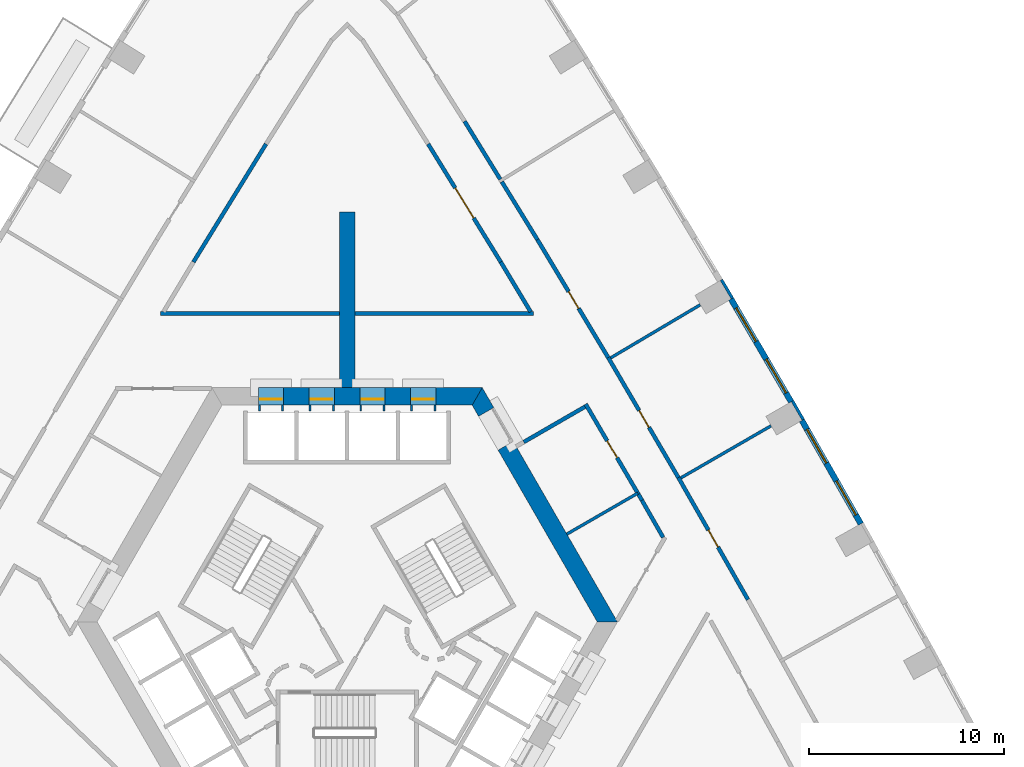
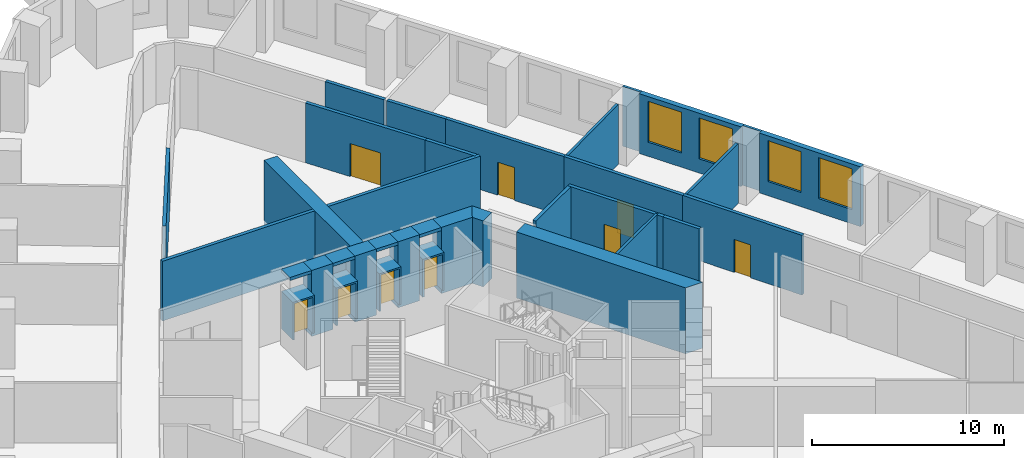
# One storey, part 10 of 15: 36 walls, 9 doors, 4 windows, 13 openings.
"""IFC4 building model written with IfcOpenShell, lengths in metres."""

from ifc_helpers import new_model, si_unit, direction, frame, frame_2d, origin, place, context, subcontext, project, spatial, polyline, rectangle, outline, extrude, material, layer, layer_set, type_object, element, fill, save


model = new_model("IFC4")

# Units and contexts
model_context = context("Model", 3, precision=1e-05, world=origin(), true_north=direction((0.0, 1.0)))
body_context = subcontext(model_context, "Body", "Model", "MODEL_VIEW")
ifc_project = project(units=[si_unit("LENGTHUNIT", "METRE"), si_unit("AREAUNIT", "SQUARE_METRE"), si_unit("VOLUMEUNIT", "CUBIC_METRE"), si_unit("PLANEANGLEUNIT", "RADIAN"), si_unit("MASSUNIT", "GRAM", prefix="KILO")], contexts=[model_context])

# Site, building, storey
site_placement = place(None, origin())
site = spatial("IfcSite", under=ifc_project, at=site_placement, CompositionType="ELEMENT")
building_placement = place(site_placement, origin())
building = spatial("IfcBuilding", under=site, at=building_placement, Name="Entoto Arch Interchange Tower", CompositionType="ELEMENT")
storey_placement = place(building_placement, frame((0.0, 0.0, 107.60009765625)))
storey = spatial("IfcBuildingStorey", under=building, at=storey_placement, Name="L23", CompositionType="ELEMENT", Elevation=107.60009765625)

# Walls
ifc_material_1 = material(Name="Concrete C60/75", Category="concrete")
ifc_layer_1 = layer(ifc_material_1, 0.800048828125)
ifc_layer_set_1 = layer_set([ifc_layer_1], Name="Concrete C60/75")
wall_type_1 = type_object("IfcWallType", Name="Buttress wall 800 C60/75", PredefinedType="SHEAR", material=ifc_layer_set_1)
wall_1_placement = place(storey_placement, frame((0.0, 14.5, -0.400146484375), z_axis=(0.0, 0.0, 1.0), x_axis=(0.0, 1.0, 0.0)))
element("IfcWall", 1, at=wall_1_placement, inside=storey, type_object=wall_type_1, Name="Buttress wall N L23", PredefinedType="SHEAR", context=body_context, shape_type="SweptSolid", body=[
    extrude(rectangle(XDim=9.0, YDim=0.800048828125, at=frame_2d((4.5, 0.0))), origin(), (0.0, 0.0, 1.0), 4.199951171875),
])
ifc_layer_2 = layer(ifc_material_1, 0.89990234375)
ifc_layer_set_2 = layer_set([ifc_layer_2], Name="Concrete C60/75")
wall_type_2 = type_object("IfcWallType", Name="Core wall 900 C60/75", PredefinedType="SHEAR", material=ifc_layer_set_2)
wall_2_placement = place(storey_placement, frame((0.0, 0.0, -0.400146484375)))
element("IfcWall", 2, at=wall_2_placement, inside=storey, type_object=wall_type_2, Name="Core wall NE L23", PredefinedType="SHEAR", context=body_context, shape_type="SweptSolid", body=[
    extrude(outline(polyline([(8.51708984375, 11.748046875), (7.738037109375, 11.298095703125), (12.81689453125, 2.5), (13.85595703125, 2.5), (8.51708984375, 11.748046875)])), origin(), (0.0, 0.0, 1.0), 4.199951171875),
])
wall_3_placement = place(storey_placement, frame((0.0, 0.0, -0.400146484375)))
element("IfcWall", 3, at=wall_3_placement, inside=storey, type_object=wall_type_2, Name="Core wall NE L23", PredefinedType="SHEAR", context=body_context, shape_type="SweptSolid", body=[
    extrude(outline(polyline([(6.738037109375, 13.030029296875), (7.51708984375, 13.47998046875), (6.927978515625, 14.5), (6.408935546875, 13.60009765625), (6.738037109375, 13.030029296875)])), origin(), (0.0, 0.0, 1.0), 4.199951171875),
])
wall_4_placement = place(storey_placement, frame((0.0, 0.0, -0.400146484375)))
element("IfcWall", 4, at=wall_4_placement, inside=storey, type_object=wall_type_2, Name="Core wall N L23", PredefinedType="SHEAR", context=body_context, shape_type="SweptSolid", body=[
    extrude(outline(polyline([(4.550048828125, 14.5), (4.550048828125, 13.60009765625), (6.408935546875, 13.60009765625), (6.927978515625, 14.5), (4.550048828125, 14.5)])), origin(), (0.0, 0.0, 1.0), 4.199951171875),
])
wall_5_placement = place(storey_placement, frame((0.0, 0.0, -0.400146484375)))
element("IfcWall", 5, at=wall_5_placement, inside=storey, type_object=wall_type_2, Name="Core wall N L23", PredefinedType="SHEAR", context=body_context, shape_type="SweptSolid", body=[
    extrude(outline(polyline([(1.949951171875, 14.5), (1.949951171875, 13.60009765625), (3.25, 13.60009765625), (3.25, 14.5), (1.949951171875, 14.5)])), origin(), (0.0, 0.0, 1.0), 4.199951171875),
])
wall_6_placement = place(storey_placement, frame((0.0, 0.0, -0.400146484375)))
element("IfcWall", 6, at=wall_6_placement, inside=storey, type_object=wall_type_2, Name="Core wall N L23", PredefinedType="SHEAR", context=body_context, shape_type="SweptSolid", body=[
    extrude(outline(polyline([(-0.64990234375, 14.5), (-0.64990234375, 13.60009765625), (0.64990234375, 13.60009765625), (0.64990234375, 14.5), (-0.64990234375, 14.5)])), origin(), (0.0, 0.0, 1.0), 4.199951171875),
])
wall_7_placement = place(storey_placement, frame((0.0, 0.0, -0.400146484375)))
element("IfcWall", 7, at=wall_7_placement, inside=storey, type_object=wall_type_2, Name="Core wall N L23", PredefinedType="SHEAR", context=body_context, shape_type="SweptSolid", body=[
    extrude(outline(polyline([(-3.25, 14.5), (-3.25, 13.60009765625), (-1.949951171875, 13.60009765625), (-1.949951171875, 14.5), (-3.25, 14.5)])), origin(), (0.0, 0.0, 1.0), 4.199951171875),
])
wall_8_placement = place(storey_placement, frame((0.0, 0.0, 3.599853515625)))
element("IfcWall", 8, at=wall_8_placement, inside=storey, type_object=wall_type_2, Name="Core wall lintel N L23", PredefinedType="SHEAR", context=body_context, shape_type="SweptSolid", body=[
    extrude(outline(polyline([(3.25, 14.5), (3.25, 13.60009765625), (4.550048828125, 13.60009765625), (4.550048828125, 14.5), (3.25, 14.5)])), origin(), (0.0, 0.0, 1.0), 0.199951171875),
])
wall_9_placement = place(storey_placement, frame((0.0, 0.0, 3.599853515625)))
element("IfcWall", 9, at=wall_9_placement, inside=storey, type_object=wall_type_2, Name="Core wall lintel N L23", PredefinedType="SHEAR", context=body_context, shape_type="SweptSolid", body=[
    extrude(outline(polyline([(0.64990234375, 14.5), (0.64990234375, 13.60009765625), (1.949951171875, 13.60009765625), (1.949951171875, 14.5), (0.64990234375, 14.5)])), origin(), (0.0, 0.0, 1.0), 0.199951171875),
])
wall_10_placement = place(storey_placement, frame((0.0, 0.0, 3.599853515625)))
element("IfcWall", 10, at=wall_10_placement, inside=storey, type_object=wall_type_2, Name="Core wall lintel N L23", PredefinedType="SHEAR", context=body_context, shape_type="SweptSolid", body=[
    extrude(outline(polyline([(-1.949951171875, 14.5), (-1.949951171875, 13.60009765625), (-0.64990234375, 13.60009765625), (-0.64990234375, 14.5), (-1.949951171875, 14.5)])), origin(), (0.0, 0.0, 1.0), 0.199951171875),
])
wall_11_placement = place(storey_placement, frame((0.0, 0.0, 3.599853515625)))
element("IfcWall", 11, at=wall_11_placement, inside=storey, type_object=wall_type_2, Name="Core wall lintel N L23", PredefinedType="SHEAR", context=body_context, shape_type="SweptSolid", body=[
    extrude(outline(polyline([(-4.550048828125, 14.5), (-4.550048828125, 13.60009765625), (-3.25, 13.60009765625), (-3.25, 14.5), (-4.550048828125, 14.5)])), origin(), (0.0, 0.0, 1.0), 0.199951171875),
])

# Wall, opening, door
ifc_material_2 = material(Name="Concrete C40/50", Category="concrete")
ifc_layer_3 = layer(ifc_material_2, 1.199951171875)
ifc_layer_set_3 = layer_set([ifc_layer_3], Name="Concrete C40/50")
wall_type_3 = type_object("IfcWallType", Name="LIFT LANDING INFILL WALL", PredefinedType="STANDARD", material=ifc_layer_set_3)
wall_12_placement = place(storey_placement, frame((4.550048828125, 13.89990234375, 0.0), z_axis=(0.0, 0.0, 1.0), x_axis=(-1.0, 0.0, 0.0)))
wall_12 = element("IfcWall", 12, at=wall_12_placement, inside=storey, type_object=wall_type_3, Name="Lift landing infill wall LR1 L23", PredefinedType="STANDARD", context=body_context, shape_type="SweptSolid", body=[
    extrude(rectangle(XDim=1.300048828125, YDim=1.199951171875, at=frame_2d((0.64990234375, 0.0))), origin(), (0.0, 0.0, 1.0), 2.39990234375),
])
opening_1_placement = place(wall_12_placement, frame((0.10009765625, 0.0, 0.0)))
opening_1 = element("IfcOpeningElement", 13, at=opening_1_placement, cuts=wall_12, Name="Opening LD-LR1-L23", PredefinedType="OPENING", context=body_context, shape_type="SweptSolid", body=[
    extrude(rectangle(XDim=1.10009765625, YDim=2.300048828125, at=frame_2d((0.550048828125, 1.14990234375))), frame((0.0, 0.60986328125, 0.0), z_axis=(0.0, -1.0, 0.0), x_axis=(1.0, 0.0, 0.0)), (0.0, 0.0, 1.0), 1.219970703125),
])
ifc_material_3 = material(Name="Stainless steel 1.4301 panels", Category="steel")
door_type_1 = type_object("IfcDoorType", Name="LIFT LANDING DOOR LD2 1100x2300", OperationType="SLIDING_TO_LEFT", PredefinedType="DOOR", material=ifc_material_3)
door_1_placement = place(opening_1_placement, origin())
door_1 = element("IfcDoor", 14, at=door_1_placement, inside=storey, type_object=door_type_1, Name="Lift landing door LR1 L23", OperationType="SLIDING_TO_LEFT", OverallHeight=2.300048828125, OverallWidth=1.10009765625, PredefinedType="DOOR", context=body_context, shape_type="SweptSolid", body=[
    extrude(rectangle(XDim=1.10009765625, YDim=2.300048828125, at=frame_2d((0.550048828125, 1.14990234375))), frame((0.0, 0.02490234375, 0.0), z_axis=(0.0, -1.0, 0.0), x_axis=(1.0, 0.0, 0.0)), (0.0, 0.0, 1.0), 0.050048828125),
])
fill(opening_1, door_1)

wall_13_placement = place(storey_placement, frame((1.949951171875, 13.89990234375, 0.0), z_axis=(0.0, 0.0, 1.0), x_axis=(-1.0, 0.0, 0.0)))
wall_13 = element("IfcWall", 15, at=wall_13_placement, inside=storey, type_object=wall_type_3, Name="Lift landing infill wall LR2 L23", PredefinedType="STANDARD", context=body_context, shape_type="SweptSolid", body=[
    extrude(rectangle(XDim=1.300048828125, YDim=1.199951171875, at=frame_2d((0.64990234375, 0.0))), origin(), (0.0, 0.0, 1.0), 2.39990234375),
])
opening_2_placement = place(wall_13_placement, frame((0.10009765625, 0.0, 0.0)))
opening_2 = element("IfcOpeningElement", 16, at=opening_2_placement, cuts=wall_13, Name="Opening LD-LR2-L23", PredefinedType="OPENING", context=body_context, shape_type="SweptSolid", body=[
    extrude(rectangle(XDim=1.10009765625, YDim=2.300048828125, at=frame_2d((0.550048828125, 1.14990234375))), frame((0.0, 0.60986328125, 0.0), z_axis=(0.0, -1.0, 0.0), x_axis=(1.0, 0.0, 0.0)), (0.0, 0.0, 1.0), 1.219970703125),
])
door_2_placement = place(opening_2_placement, origin())
door_2 = element("IfcDoor", 17, at=door_2_placement, inside=storey, type_object=door_type_1, Name="Lift landing door LR2 L23", OperationType="SLIDING_TO_LEFT", OverallHeight=2.300048828125, OverallWidth=1.10009765625, PredefinedType="DOOR", context=body_context, shape_type="SweptSolid", body=[
    extrude(rectangle(XDim=1.10009765625, YDim=2.300048828125, at=frame_2d((0.550048828125, 1.14990234375))), frame((0.0, 0.02490234375, 0.0), z_axis=(0.0, -1.0, 0.0), x_axis=(1.0, 0.0, 0.0)), (0.0, 0.0, 1.0), 0.050048828125),
])
fill(opening_2, door_2)

wall_14_placement = place(storey_placement, frame((-0.64990234375, 13.89990234375, 0.0), z_axis=(0.0, 0.0, 1.0), x_axis=(-1.0, 0.0, 0.0)))
wall_14 = element("IfcWall", 18, at=wall_14_placement, inside=storey, type_object=wall_type_3, Name="Lift landing infill wall LR3 L23", PredefinedType="STANDARD", context=body_context, shape_type="SweptSolid", body=[
    extrude(rectangle(XDim=1.300048828125, YDim=1.199951171875, at=frame_2d((0.64990234375, 0.0))), origin(), (0.0, 0.0, 1.0), 2.39990234375),
])
opening_3_placement = place(wall_14_placement, frame((0.10009765625, 0.0, 0.0)))
opening_3 = element("IfcOpeningElement", 19, at=opening_3_placement, cuts=wall_14, Name="Opening LD-LR3-L23", PredefinedType="OPENING", context=body_context, shape_type="SweptSolid", body=[
    extrude(rectangle(XDim=1.10009765625, YDim=2.300048828125, at=frame_2d((0.550048828125, 1.14990234375))), frame((0.0, 0.60986328125, 0.0), z_axis=(0.0, -1.0, 0.0), x_axis=(1.0, 0.0, 0.0)), (0.0, 0.0, 1.0), 1.219970703125),
])
door_3_placement = place(opening_3_placement, origin())
door_3 = element("IfcDoor", 20, at=door_3_placement, inside=storey, type_object=door_type_1, Name="Lift landing door LR3 L23", OperationType="SLIDING_TO_LEFT", OverallHeight=2.300048828125, OverallWidth=1.10009765625, PredefinedType="DOOR", context=body_context, shape_type="SweptSolid", body=[
    extrude(rectangle(XDim=1.10009765625, YDim=2.300048828125, at=frame_2d((0.550048828125, 1.14990234375))), frame((0.0, 0.02490234375, 0.0), z_axis=(0.0, -1.0, 0.0), x_axis=(1.0, 0.0, 0.0)), (0.0, 0.0, 1.0), 0.050048828125),
])
fill(opening_3, door_3)

wall_15_placement = place(storey_placement, frame((-3.25, 13.89990234375, 0.0), z_axis=(0.0, 0.0, 1.0), x_axis=(-1.0, 0.0, 0.0)))
wall_15 = element("IfcWall", 21, at=wall_15_placement, inside=storey, type_object=wall_type_3, Name="Lift landing infill wall LR4 L23", PredefinedType="STANDARD", context=body_context, shape_type="SweptSolid", body=[
    extrude(rectangle(XDim=1.300048828125, YDim=1.199951171875, at=frame_2d((0.64990234375, 0.0))), origin(), (0.0, 0.0, 1.0), 2.39990234375),
])
opening_4_placement = place(wall_15_placement, frame((0.10009765625, 0.0, 0.0)))
opening_4 = element("IfcOpeningElement", 22, at=opening_4_placement, cuts=wall_15, Name="Opening LD-LR4-L23", PredefinedType="OPENING", context=body_context, shape_type="SweptSolid", body=[
    extrude(rectangle(XDim=1.10009765625, YDim=2.300048828125, at=frame_2d((0.550048828125, 1.14990234375))), frame((0.0, 0.60986328125, 0.0), z_axis=(0.0, -1.0, 0.0), x_axis=(1.0, 0.0, 0.0)), (0.0, 0.0, 1.0), 1.219970703125),
])
door_4_placement = place(opening_4_placement, origin())
door_4 = element("IfcDoor", 23, at=door_4_placement, inside=storey, type_object=door_type_1, Name="Lift landing door LR4 L23", OperationType="SLIDING_TO_LEFT", OverallHeight=2.300048828125, OverallWidth=1.10009765625, PredefinedType="DOOR", context=body_context, shape_type="SweptSolid", body=[
    extrude(rectangle(XDim=1.10009765625, YDim=2.300048828125, at=frame_2d((0.550048828125, 1.14990234375))), frame((0.0, 0.02490234375, 0.0), z_axis=(0.0, -1.0, 0.0), x_axis=(1.0, 0.0, 0.0)), (0.0, 0.0, 1.0), 0.050048828125),
])
fill(opening_4, door_4)

# Walls
ifc_material_4 = material(Name="Gypsum board partition on steel studs", Category="steel")
ifc_layer_4 = layer(ifc_material_4, 0.14990234375)
ifc_layer_set_4 = layer_set([ifc_layer_4], Name="Gypsum board partition on steel studs")
wall_type_4 = type_object("IfcWallType", Name="PARTITION 150", PredefinedType="PARTITIONING", material=ifc_layer_set_4)
wall_16_placement = place(storey_placement, frame((11.260986328125, 6.993896484375, 0.0), z_axis=(0.0, 0.0, 1.0), x_axis=(0.866037428454, 0.499979172084, 0.0)))
element("IfcWall", 24, at=wall_16_placement, inside=storey, type_object=wall_type_4, Name="wall:L23:p097", PredefinedType="PARTITIONING", context=body_context, shape_type="SweptSolid", body=[
    extrude(rectangle(XDim=4.198486328125, YDim=0.14990234375, at=frame_2d((2.09912109375, 0.0))), origin(), (0.0, 0.0, 1.0), 3.7998046875),
])
wall_17_placement = place(storey_placement, frame((17.10400390625, 9.875, 0.0), z_axis=(0.0, 0.0, 1.0), x_axis=(0.866024640963, 0.500001321243, 0.0)))
element("IfcWall", 25, at=wall_17_placement, inside=storey, type_object=wall_type_4, Name="wall:L23:p142", PredefinedType="PARTITIONING", context=body_context, shape_type="SweptSolid", body=[
    extrude(rectangle(XDim=5.330078125, YDim=0.14990234375, at=frame_2d((2.6650390625, 0.0))), origin(), (0.0, 0.0, 1.0), 3.7998046875),
])
wall_18_placement = place(storey_placement, frame((13.507080078125, 16.02490234375, 0.0), z_axis=(0.0, 0.0, 1.0), x_axis=(0.860289301319, 0.509806157315, 0.0)))
element("IfcWall", 26, at=wall_18_placement, inside=storey, type_object=wall_type_4, Name="wall:L23:p143", PredefinedType="PARTITIONING", context=body_context, shape_type="SweptSolid", body=[
    extrude(rectangle(XDim=5.32958984375, YDim=0.14990234375, at=frame_2d((2.664794921875, 0.0))), origin(), (0.0, 0.0, 1.0), 3.7998046875),
])
ifc_layer_5 = layer(ifc_material_4, 0.199951171875)
ifc_layer_set_5 = layer_set([ifc_layer_5], Name="Gypsum board partition on steel studs")
wall_type_5 = type_object("IfcWallType", Name="PARTITION 200", PredefinedType="PARTITIONING", material=ifc_layer_set_5)
wall_19_placement = place(storey_placement, frame((16.195068359375, 6.823974609375, 0.0), z_axis=(0.0, 0.0, 1.0), x_axis=(-0.494984897559, 0.868901577388, 0.0)))
element("IfcWall", 27, at=wall_19_placement, inside=storey, type_object=wall_type_5, Name="wall:L23:p005", PredefinedType="PARTITIONING", context=body_context, shape_type="SweptSolid", body=[
    extrude(rectangle(XDim=2.18798828125, YDim=0.199951171875, at=frame_2d((1.093994140625, 0.0))), origin(), (0.0, 0.0, 1.0), 3.7998046875),
])
wall_20_placement = place(storey_placement, frame((15.112060546875, 8.72509765625, 0.0), z_axis=(0.0, 0.0, 1.0), x_axis=(-0.50443330283, 0.86345066043, 0.0)))
element("IfcWall", 28, at=wall_20_placement, inside=storey, type_object=wall_type_5, Name="wall:L23:p006", PredefinedType="PARTITIONING", context=body_context, shape_type="SweptSolid", body=[
    extrude(rectangle(XDim=0.350830078125, YDim=0.199951171875, at=frame_2d((0.17529296875, 0.0))), origin(), (0.0, 0.0, 1.0), 3.7998046875),
])

# Wall, opening, door
wall_21_placement = place(storey_placement, frame((14.93505859375, 9.028076171875, 0.0), z_axis=(0.0, 0.0, 1.0), x_axis=(-0.504934493304, 0.863157666636, 0.0)))
wall_21 = element("IfcWall", 29, at=wall_21_placement, inside=storey, type_object=wall_type_5, Name="wall:L23:p007", PredefinedType="PARTITIONING", context=body_context, shape_type="SweptSolid", body=[
    extrude(rectangle(XDim=5.364990234375, YDim=0.199951171875, at=frame_2d((2.6826171875, 0.0))), origin(), (0.0, 0.0, 1.0), 3.7998046875),
])
opening_5_placement = place(wall_21_placement, frame((2.181884765625, 0.0, 0.0)))
opening_5 = element("IfcOpeningElement", 30, at=opening_5_placement, cuts=wall_21, Name="Opening L23-D35", PredefinedType="OPENING", context=body_context, shape_type="SweptSolid", body=[
    extrude(rectangle(XDim=1.0, YDim=2.10009765625, at=frame_2d((0.5, 1.050048828125))), frame((0.0, 0.10986328125, 0.0), z_axis=(0.0, -1.0, 0.0), x_axis=(1.0, 0.0, 0.0)), (0.0, 0.0, 1.0), 0.219970703125),
])
ifc_material_5 = material(Name="Timber door leaf in Steel S235 frame", Category="steel")
door_type_2 = type_object("IfcDoorType", Name="DOOR DS-10 1000x2100", OperationType="SINGLE_SWING_LEFT", PredefinedType="DOOR", material=ifc_material_5)
door_5_placement = place(opening_5_placement, origin())
door_5 = element("IfcDoor", 31, at=door_5_placement, inside=storey, type_object=door_type_2, Name="door:L23:35", OperationType="SINGLE_SWING_LEFT", OverallHeight=2.10009765625, OverallWidth=1.0, PredefinedType="DOOR", context=body_context, shape_type="SweptSolid", body=[
    extrude(rectangle(XDim=1.0, YDim=2.10009765625, at=frame_2d((0.5, 1.050048828125))), frame((0.0, 0.02490234375, 0.0), z_axis=(0.0, -1.0, 0.0), x_axis=(1.0, 0.0, 0.0)), (0.0, 0.0, 1.0), 0.050048828125),
])
fill(opening_5, door_5)

# Walls
wall_22_placement = place(storey_placement, frame((12.18994140625, 13.52197265625, 0.0), z_axis=(0.0, 0.0, 1.0), x_axis=(-0.866000156139, -0.500043727655, 0.0)))
element("IfcWall", 32, at=wall_22_placement, inside=storey, type_object=wall_type_5, Name="wall:L23:p008", PredefinedType="PARTITIONING", context=body_context, shape_type="SweptSolid", body=[
    extrude(rectangle(XDim=3.617919921875, YDim=0.199951171875, at=frame_2d((1.80908203125, 0.0))), origin(), (0.0, 0.0, 1.0), 3.7998046875),
])
wall_23_placement = place(storey_placement, frame((9.406982421875, 18.385986328125, 0.0), z_axis=(0.0, 0.0, 1.0), x_axis=(-0.514399309837, 0.857550785691, 0.0)))
element("IfcWall", 33, at=wall_23_placement, inside=storey, type_object=wall_type_5, Name="wall:L23:p009", PredefinedType="PARTITIONING", context=body_context, shape_type="SweptSolid", body=[
    extrude(rectangle(XDim=2.978271484375, YDim=0.199951171875, at=frame_2d((1.4892578125, 0.0))), origin(), (0.0, 0.0, 1.0), 3.7998046875),
])

# Wall, opening, door
wall_24_placement = place(storey_placement, frame((7.875, 20.93994140625, 0.0), z_axis=(0.0, 0.0, 1.0), x_axis=(-0.524183774504, 0.851605172921, 0.0)))
wall_24 = element("IfcWall", 34, at=wall_24_placement, inside=storey, type_object=wall_type_5, Name="wall:L23:p010", PredefinedType="PARTITIONING", context=body_context, shape_type="SweptSolid", body=[
    extrude(rectangle(XDim=7.0986328125, YDim=0.199951171875, at=frame_2d((3.54931640625, 0.0))), origin(), (0.0, 0.0, 1.0), 3.7998046875),
])
opening_6_placement = place(wall_24_placement, frame((2.64892578125, 0.0, 0.0)))
opening_6 = element("IfcOpeningElement", 35, at=opening_6_placement, cuts=wall_24, Name="Opening L23-D25", PredefinedType="OPENING", context=body_context, shape_type="SweptSolid", body=[
    extrude(rectangle(XDim=1.800048828125, YDim=2.10009765625, at=frame_2d((0.89990234375, 1.050048828125))), frame((0.0, 0.10986328125, 0.0), z_axis=(0.0, -1.0, 0.0), x_axis=(1.0, 0.0, 0.0)), (0.0, 0.0, 1.0), 0.219970703125),
])
door_type_3 = type_object("IfcDoorType", Name="DOOR DD-18 1800x2100", OperationType="DOUBLE_DOOR_SINGLE_SWING", PredefinedType="DOOR", material=ifc_material_5)
door_6_placement = place(opening_6_placement, origin())
door_6 = element("IfcDoor", 36, at=door_6_placement, inside=storey, type_object=door_type_3, Name="door:L23:25", OperationType="DOUBLE_DOOR_SINGLE_SWING", OverallHeight=2.10009765625, OverallWidth=1.800048828125, PredefinedType="DOOR", context=body_context, shape_type="SweptSolid", body=[
    extrude(rectangle(XDim=1.800048828125, YDim=2.10009765625, at=frame_2d((0.89990234375, 1.050048828125))), frame((0.0, 0.02490234375, 0.0), z_axis=(0.0, -1.0, 0.0), x_axis=(1.0, 0.0, 0.0)), (0.0, 0.0, 1.0), 0.050048828125),
])
fill(opening_6, door_6)

# Wall
wall_25_placement = place(storey_placement, frame((-4.154052734375, 26.985107421875, 0.0), z_axis=(0.0, 0.0, 1.0), x_axis=(-0.524183774504, -0.851605172921, 0.0)))
element("IfcWall", 37, at=wall_25_placement, inside=storey, type_object=wall_type_5, Name="wall:L23:p015", PredefinedType="PARTITIONING", context=body_context, shape_type="SweptSolid", body=[
    extrude(rectangle(XDim=7.0986328125, YDim=0.199951171875, at=frame_2d((3.54931640625, 0.0))), origin(), (0.0, 0.0, 1.0), 3.7998046875),
])

# Wall, opening, door
wall_26_placement = place(storey_placement, frame((16.97998046875, 9.889892578125, 0.0), z_axis=(0.0, 0.0, 1.0), x_axis=(0.495123170501, -0.868822793228, 0.0)))
wall_26 = element("IfcWall", 38, at=wall_26_placement, inside=storey, type_object=wall_type_5, Name="wall:L23:p052", PredefinedType="PARTITIONING", context=body_context, shape_type="SweptSolid", body=[
    extrude(rectangle(XDim=7.1982421875, YDim=0.199951171875, at=frame_2d((3.59912109375, 0.0))), origin(), (0.0, 0.0, 1.0), 3.7998046875),
])
opening_7_placement = place(wall_26_placement, frame((3.09912109375, 0.0, 0.0)))
opening_7 = element("IfcOpeningElement", 39, at=opening_7_placement, cuts=wall_26, Name="Opening L23-D06", PredefinedType="OPENING", context=body_context, shape_type="SweptSolid", body=[
    extrude(rectangle(XDim=1.0, YDim=2.10009765625, at=frame_2d((0.5, 1.050048828125))), frame((0.0, 0.10986328125, 0.0), z_axis=(0.0, -1.0, 0.0), x_axis=(1.0, 0.0, 0.0)), (0.0, 0.0, 1.0), 0.219970703125),
])
door_7_placement = place(opening_7_placement, origin())
door_7 = element("IfcDoor", 40, at=door_7_placement, inside=storey, type_object=door_type_2, Name="door:L23:06", OperationType="SINGLE_SWING_LEFT", OverallHeight=2.10009765625, OverallWidth=1.0, PredefinedType="DOOR", context=body_context, shape_type="SweptSolid", body=[
    extrude(rectangle(XDim=1.0, YDim=2.10009765625, at=frame_2d((0.5, 1.050048828125))), frame((0.0, 0.02490234375, 0.0), z_axis=(0.0, -1.0, 0.0), x_axis=(1.0, 0.0, 0.0)), (0.0, 0.0, 1.0), 0.050048828125),
])
fill(opening_7, door_7)

wall_27_placement = place(storey_placement, frame((13.383056640625, 16.0390625, 0.0), z_axis=(0.0, 0.0, 1.0), x_axis=(0.504806221623, -0.863232690884, 0.0)))
wall_27 = element("IfcWall", 41, at=wall_27_placement, inside=storey, type_object=wall_type_5, Name="wall:L23:p054", PredefinedType="PARTITIONING", context=body_context, shape_type="SweptSolid", body=[
    extrude(rectangle(XDim=7.12353515625, YDim=0.199951171875, at=frame_2d((3.561767578125, 0.0))), origin(), (0.0, 0.0, 1.0), 3.7998046875),
])
opening_8_placement = place(wall_27_placement, frame((3.136962890625, 0.0, 0.0)))
opening_8 = element("IfcOpeningElement", 42, at=opening_8_placement, cuts=wall_27, Name="Opening L23-D07", PredefinedType="OPENING", context=body_context, shape_type="SweptSolid", body=[
    extrude(rectangle(XDim=1.0, YDim=2.10009765625, at=frame_2d((0.5, 1.050048828125))), frame((0.0, 0.10986328125, 0.0), z_axis=(0.0, -1.0, 0.0), x_axis=(1.0, 0.0, 0.0)), (0.0, 0.0, 1.0), 0.219970703125),
])
door_8_placement = place(opening_8_placement, origin())
door_8 = element("IfcDoor", 43, at=door_8_placement, inside=storey, type_object=door_type_2, Name="door:L23:07", OperationType="SINGLE_SWING_LEFT", OverallHeight=2.10009765625, OverallWidth=1.0, PredefinedType="DOOR", context=body_context, shape_type="SweptSolid", body=[
    extrude(rectangle(XDim=1.0, YDim=2.10009765625, at=frame_2d((0.5, 1.050048828125))), frame((0.0, 0.02490234375, 0.0), z_axis=(0.0, -1.0, 0.0), x_axis=(1.0, 0.0, 0.0)), (0.0, 0.0, 1.0), 0.050048828125),
])
fill(opening_8, door_8)

# Wall
wall_28_placement = place(storey_placement, frame((7.927001953125, 25.052001953125, 0.0), z_axis=(0.0, 0.0, 1.0), x_axis=(0.524140390501, -0.851631875311, 0.0)))
element("IfcWall", 44, at=wall_28_placement, inside=storey, type_object=wall_type_5, Name="wall:L23:p055", PredefinedType="PARTITIONING", context=body_context, shape_type="SweptSolid", body=[
    extrude(rectangle(XDim=3.4873046875, YDim=0.199951171875, at=frame_2d((1.74365234375, 0.0))), origin(), (0.0, 0.0, 1.0), 3.7998046875),
])

# Wall, opening, door
wall_29_placement = place(storey_placement, frame((9.7548828125, 22.08203125, 0.0), z_axis=(0.0, 0.0, 1.0), x_axis=(0.514582342012, -0.857440967816, 0.0)))
wall_29 = element("IfcWall", 45, at=wall_29_placement, inside=storey, type_object=wall_type_5, Name="wall:L23:p056", PredefinedType="PARTITIONING", context=body_context, shape_type="SweptSolid", body=[
    extrude(rectangle(XDim=7.048828125, YDim=0.199951171875, at=frame_2d((3.5244140625, 0.0))), origin(), (0.0, 0.0, 1.0), 3.7998046875),
])
opening_9_placement = place(wall_29_placement, frame((3.10009765625, 0.0, 0.0)))
opening_9 = element("IfcOpeningElement", 46, at=opening_9_placement, cuts=wall_29, Name="Opening L23-D08", PredefinedType="OPENING", context=body_context, shape_type="SweptSolid", body=[
    extrude(rectangle(XDim=1.0, YDim=2.10009765625, at=frame_2d((0.5, 1.050048828125))), frame((0.0, 0.10986328125, 0.0), z_axis=(0.0, -1.0, 0.0), x_axis=(1.0, 0.0, 0.0)), (0.0, 0.0, 1.0), 0.219970703125),
])
door_9_placement = place(opening_9_placement, origin())
door_9 = element("IfcDoor", 47, at=door_9_placement, inside=storey, type_object=door_type_2, Name="door:L23:08", OperationType="SINGLE_SWING_LEFT", OverallHeight=2.10009765625, OverallWidth=1.0, PredefinedType="DOOR", context=body_context, shape_type="SweptSolid", body=[
    extrude(rectangle(XDim=1.0, YDim=2.10009765625, at=frame_2d((0.5, 1.050048828125))), frame((0.0, 0.02490234375, 0.0), z_axis=(0.0, -1.0, 0.0), x_axis=(1.0, 0.0, 0.0)), (0.0, 0.0, 1.0), 0.050048828125),
])
fill(opening_9, door_9)

# Walls
wall_30_placement = place(storey_placement, frame((6.02099609375, 28.14892578125, 0.0), z_axis=(0.0, 0.0, 1.0), x_axis=(0.524062258075, -0.851679957297, 0.0)))
element("IfcWall", 48, at=wall_30_placement, inside=storey, type_object=wall_type_5, Name="wall:L23:p058", PredefinedType="PARTITIONING", context=body_context, shape_type="SweptSolid", body=[
    extrude(rectangle(XDim=3.486083984375, YDim=0.199951171875, at=frame_2d((1.7431640625, 0.0))), origin(), (0.0, 0.0, 1.0), 3.7998046875),
])
for number, where, z_axis, x_axis, name in (
    (49, (-9.55908203125, 18.300048828125, 0.0), (0.0, 0.0, 1.0), (1.0, 0.0, 0.0), "wall:L23:p120"),
    (50, (0.39990234375, 18.300048828125, 0.0), (0.0, 0.0, 1.0), (1.0, 0.0, 0.0), "wall:L23:p120"),
):
    element("IfcWall", number, at=place(storey_placement, frame(where, z_axis=z_axis, x_axis=x_axis)), inside=storey, type_object=wall_type_5, Name=name, PredefinedType="PARTITIONING", context=body_context, shape_type="SweptSolid", body=[
        extrude(rectangle(XDim=9.1591796875, YDim=0.199951171875, at=frame_2d((4.57958984375, 0.0))), origin(), (0.0, 0.0, 1.0), 3.7998046875),
    ])

# Wall, openings, windows
ifc_material_6 = material(Name="Welded tuff (ignimbrite) cladding, warm buff", Category="masonry")
ifc_layer_6 = layer(ifc_material_6, 0.300048828125)
ifc_layer_set_6 = layer_set([ifc_layer_6], Name="Welded tuff (ignimbrite) cladding, warm buff")
wall_type_6 = type_object("IfcWallType", Name="STONE INFILL WALL 300", PredefinedType="STANDARD", material=ifc_layer_set_6)
wall_31_placement = place(storey_placement, frame((26.330078125, 7.52001953125, 0.0), z_axis=(0.0, 0.0, 1.0), x_axis=(-0.495113375427, 0.868828375154, 0.0)))
wall_31 = element("IfcWall", 51, at=wall_31_placement, inside=storey, type_object=wall_type_6, Name="Facade wall NE-04 L23", PredefinedType="STANDARD", context=body_context, shape_type="SweptSolid", body=[
    extrude(rectangle(XDim=6.103515625, YDim=0.300048828125, at=frame_2d((3.0517578125, 0.0))), origin(), (0.0, 0.0, 1.0), 3.7998046875),
])
opening_10_placement = place(wall_31_placement, frame((0.52587890625, 0.0, 0.89990234375)))
opening_10 = element("IfcOpeningElement", 52, at=opening_10_placement, cuts=wall_31, Name="Opening WO-C", PredefinedType="OPENING", context=body_context, shape_type="SweptSolid", body=[
    extrude(rectangle(XDim=2.0, YDim=2.60009765625, at=frame_2d((1.0, 1.300048828125))), frame((0.0, 0.16015625, 0.0), z_axis=(0.0, -1.0, 0.0), x_axis=(1.0, 0.0, 0.0)), (0.0, 0.0, 1.0), 0.320068359375),
])
opening_11_placement = place(wall_31_placement, frame((3.577880859375, 0.0, 0.89990234375)))
opening_11 = element("IfcOpeningElement", 53, at=opening_11_placement, cuts=wall_31, Name="Opening WO-C", PredefinedType="OPENING", context=body_context, shape_type="SweptSolid", body=[
    extrude(rectangle(XDim=2.0, YDim=2.60009765625, at=frame_2d((1.0, 1.300048828125))), frame((0.0, 0.16015625, 0.0), z_axis=(0.0, -1.0, 0.0), x_axis=(1.0, 0.0, 0.0)), (0.0, 0.0, 1.0), 0.320068359375),
])
ifc_material_7 = material(Name="Clear glass, low-e double glazed", Category="glass")
window_type = type_object("IfcWindowType", Name="WINDOW WO-C 2000x2600", PartitioningType="DOUBLE_PANEL_VERTICAL", PredefinedType="WINDOW", material=ifc_material_7)
window_1_placement = place(opening_10_placement, origin())
window_1 = element("IfcWindow", 54, at=window_1_placement, inside=storey, type_object=window_type, Name="Window WO-C NE-04 L23", OverallHeight=2.60009765625, OverallWidth=2.0, PartitioningType="SINGLE_PANEL", PredefinedType="WINDOW", context=body_context, shape_type="SweptSolid", body=[
    extrude(rectangle(XDim=2.0, YDim=2.60009765625, at=frame_2d((1.0, 1.300048828125))), frame((0.0, 0.030029296875, 0.0), z_axis=(0.0, -1.0, 0.0), x_axis=(1.0, 0.0, 0.0)), (0.0, 0.0, 1.0), 0.06005859375),
])
fill(opening_10, window_1)
window_2_placement = place(opening_11_placement, origin())
window_2 = element("IfcWindow", 55, at=window_2_placement, inside=storey, type_object=window_type, Name="Window WO-C NE-04 L23", OverallHeight=2.60009765625, OverallWidth=2.0, PartitioningType="SINGLE_PANEL", PredefinedType="WINDOW", context=body_context, shape_type="SweptSolid", body=[
    extrude(rectangle(XDim=2.0, YDim=2.60009765625, at=frame_2d((1.0, 1.300048828125))), frame((0.0, 0.030029296875, 0.0), z_axis=(0.0, -1.0, 0.0), x_axis=(1.0, 0.0, 0.0)), (0.0, 0.0, 1.0), 0.06005859375),
])
fill(opening_11, window_2)

wall_32_placement = place(storey_placement, frame((22.759033203125, 13.77392578125, 0.0), z_axis=(0.0, 0.0, 1.0), x_axis=(-0.50490018297, 0.863177736759, 0.0)))
wall_32 = element("IfcWall", 56, at=wall_32_placement, inside=storey, type_object=wall_type_6, Name="Facade wall NE-05 L23", PredefinedType="STANDARD", context=body_context, shape_type="SweptSolid", body=[
    extrude(rectangle(XDim=6.104248046875, YDim=0.300048828125, at=frame_2d((3.05224609375, 0.0))), origin(), (0.0, 0.0, 1.0), 3.7998046875),
])
opening_12_placement = place(wall_32_placement, frame((0.52587890625, 0.0, 0.89990234375)))
opening_12 = element("IfcOpeningElement", 57, at=opening_12_placement, cuts=wall_32, Name="Opening WO-C", PredefinedType="OPENING", context=body_context, shape_type="SweptSolid", body=[
    extrude(rectangle(XDim=2.0, YDim=2.60009765625, at=frame_2d((1.0, 1.300048828125))), frame((0.0, 0.16015625, 0.0), z_axis=(0.0, -1.0, 0.0), x_axis=(1.0, 0.0, 0.0)), (0.0, 0.0, 1.0), 0.320068359375),
])
opening_13_placement = place(wall_32_placement, frame((3.577880859375, 0.0, 0.89990234375)))
opening_13 = element("IfcOpeningElement", 58, at=opening_13_placement, cuts=wall_32, Name="Opening WO-C", PredefinedType="OPENING", context=body_context, shape_type="SweptSolid", body=[
    extrude(rectangle(XDim=2.0, YDim=2.60009765625, at=frame_2d((1.0, 1.300048828125))), frame((0.0, 0.16015625, 0.0), z_axis=(0.0, -1.0, 0.0), x_axis=(1.0, 0.0, 0.0)), (0.0, 0.0, 1.0), 0.320068359375),
])
window_3_placement = place(opening_12_placement, origin())
window_3 = element("IfcWindow", 59, at=window_3_placement, inside=storey, type_object=window_type, Name="Window WO-C NE-05 L23", OverallHeight=2.60009765625, OverallWidth=2.0, PartitioningType="SINGLE_PANEL", PredefinedType="WINDOW", context=body_context, shape_type="SweptSolid", body=[
    extrude(rectangle(XDim=2.0, YDim=2.60009765625, at=frame_2d((1.0, 1.300048828125))), frame((0.0, 0.030029296875, 0.0), z_axis=(0.0, -1.0, 0.0), x_axis=(1.0, 0.0, 0.0)), (0.0, 0.0, 1.0), 0.06005859375),
])
fill(opening_12, window_3)
window_4_placement = place(opening_13_placement, origin())
window_4 = element("IfcWindow", 60, at=window_4_placement, inside=storey, type_object=window_type, Name="Window WO-C NE-05 L23", OverallHeight=2.60009765625, OverallWidth=2.0, PartitioningType="SINGLE_PANEL", PredefinedType="WINDOW", context=body_context, shape_type="SweptSolid", body=[
    extrude(rectangle(XDim=2.0, YDim=2.60009765625, at=frame_2d((1.0, 1.300048828125))), frame((0.0, 0.030029296875, 0.0), z_axis=(0.0, -1.0, 0.0), x_axis=(1.0, 0.0, 0.0)), (0.0, 0.0, 1.0), 0.06005859375),
])
fill(opening_13, window_4)

# Walls
ifc_layer_7 = layer(ifc_material_6, 0.14990234375)
ifc_layer_set_7 = layer_set([ifc_layer_7], Name="Welded tuff (ignimbrite) cladding, warm buff")
wall_type_7 = type_object("IfcWallType", Name="STONE PIER CLADDING 150", PredefinedType="STANDARD", material=ifc_layer_set_7)
wall_33_placement = place(storey_placement, frame((23.3759765625, 12.861083984375, 0.0), z_axis=(0.0, 0.0, 1.0), x_axis=(-0.499933745558, 0.866063652425, 0.0)))
element("IfcWall", 61, at=wall_33_placement, inside=storey, type_object=wall_type_7, Name="Stone pier NE05 L23", PredefinedType="STANDARD", context=body_context, shape_type="SweptSolid", body=[
    extrude(rectangle(XDim=1.100341796875, YDim=0.14990234375, at=frame_2d((0.55029296875, 0.0))), origin(), (0.0, 0.0, 1.0), 3.7998046875),
])
wall_34_placement = place(storey_placement, frame((19.7451171875, 19.08203125, 0.0), z_axis=(0.0, 0.0, 1.0), x_axis=(-0.510082245696, 0.860125631885, 0.0)))
element("IfcWall", 62, at=wall_34_placement, inside=storey, type_object=wall_type_7, Name="Stone pier NE06 L23", PredefinedType="STANDARD", context=body_context, shape_type="SweptSolid", body=[
    extrude(rectangle(XDim=1.099853515625, YDim=0.14990234375, at=frame_2d((0.5498046875, 0.0))), origin(), (0.0, 0.0, 1.0), 3.7998046875),
])

save(model, "model.ifc")
